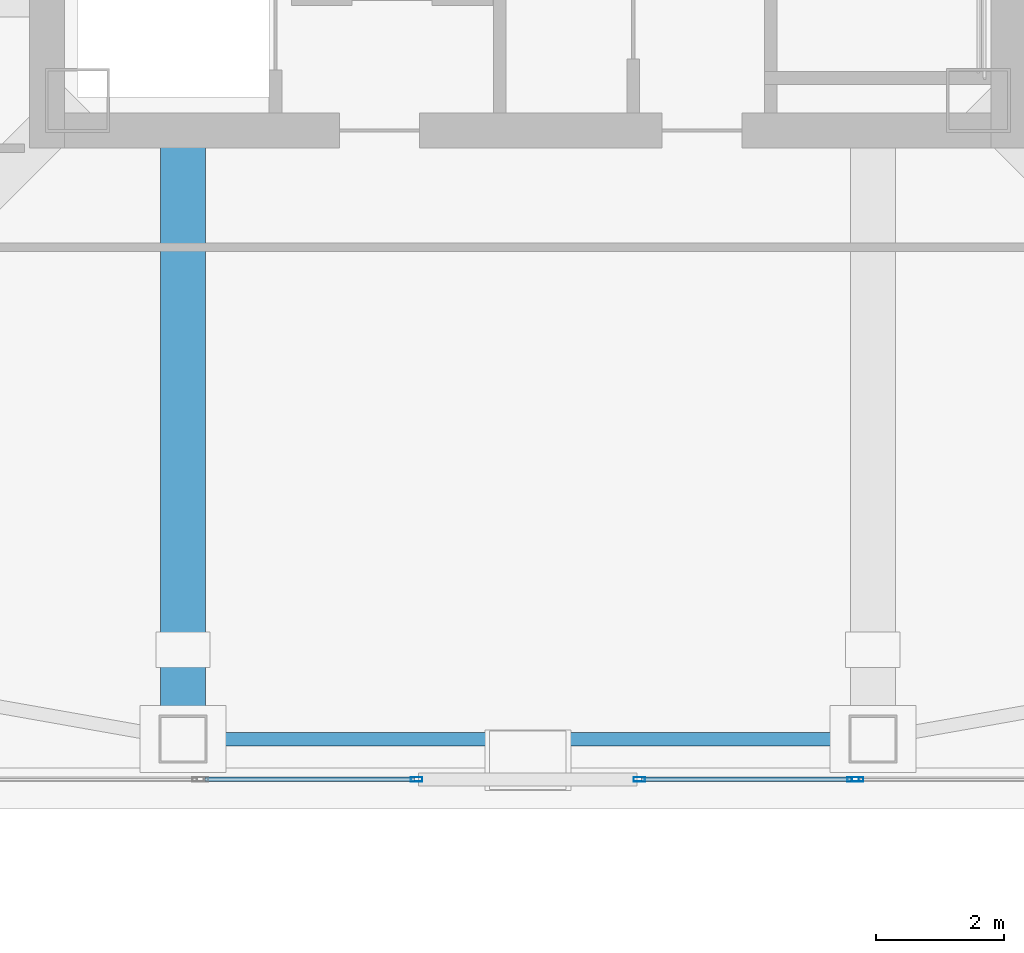
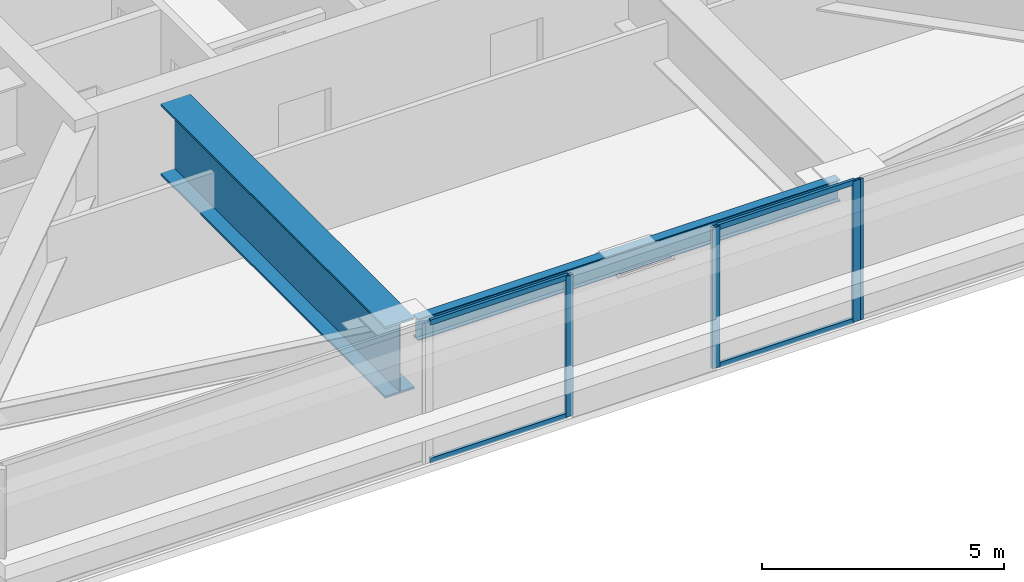
# One storey, part 5 of 42: 8 members, 2 beams, 3 elements without a shape of their own.
"""IFC4 building model written with IfcOpenShell, lengths in metres."""

import ifcopenshell
import ifcopenshell.guid

model = None  # the IFC model being written
_history = None  # IfcOwnerHistory: only IFC2X3 demands one
_inside = {}  # id of a spatial element -> (the spatial element, [elements in it])
_under = {}  # id of a project, library or spatial element -> (it, [spatial elements below it])
_declared = {}  # id of a project -> (the project, [libraries it declares])
_typed = {}  # id of a type object -> (the type object, [elements of that type])
_made_of = {}  # id of a material, layer set ... -> (it, [elements and type objects made of it])


def new_model(schema):
    """Start an empty IFC model of exactly this schema.

    Asked for "IFC4X3", IfcOpenShell would pick the latest addendum, in which some entities
    have other attributes; the version numbers below select the first issue.
    IFC2X3 requires an IfcOwnerHistory on every rooted entity: one is made here for all.
    """
    global model, _history
    if schema == "IFC4X3":
        model = ifcopenshell.file(schema_version=(4, 3, 0, 0))
    else:
        model = ifcopenshell.file(schema=schema)
    _inside.clear()
    _under.clear()
    _declared.clear()
    _typed.clear()
    _made_of.clear()
    _history = None
    if model.schema == "IFC2X3":
        org = make("IfcOrganization", Name="unknown")
        user = make(
            "IfcPersonAndOrganization",
            ThePerson=make("IfcPerson", FamilyName="unknown"),
            TheOrganization=org,
        )
        app = make(
            "IfcApplication",
            ApplicationDeveloper=org,
            Version="unknown",
            ApplicationFullName="unknown",
            ApplicationIdentifier="unknown",
        )
        _history = make(
            "IfcOwnerHistory",
            OwningUser=user,
            OwningApplication=app,
            ChangeAction="ADDED",
            CreationDate=0,
        )
    return model


def make(cls, **values):
    """One entity of the class cls with the attributes given. An attribute that is None is left unset."""
    return model.create_entity(
        cls, **{name: value for name, value in values.items() if value is not None}
    )


def rooted(cls, **values):
    """An entity with a GlobalId (a new one), such as an element, a storey or a relation."""
    return make(cls, GlobalId=ifcopenshell.guid.new(), OwnerHistory=_history, **values)


def si_unit(unit_type, name, prefix=None):
    """IfcSIUnit, for example si_unit("LENGTHUNIT", "METRE", prefix="MILLI")."""
    return make("IfcSIUnit", UnitType=unit_type, Prefix=prefix, Name=name)


def assignment(units):
    """IfcUnitAssignment: the units of a project."""
    return None if units is None else make("IfcUnitAssignment", Units=units)


def point(xyz):
    """IfcCartesianPoint."""
    return None if xyz is None else make("IfcCartesianPoint", Coordinates=xyz)


def direction(xyz):
    """IfcDirection."""
    return None if xyz is None else make("IfcDirection", DirectionRatios=xyz)


def frame(location, z_axis=None, x_axis=None):
    """IfcAxis2Placement3D, a coordinate frame: its origin and axes. An axis left out is left unset."""
    return make(
        "IfcAxis2Placement3D",
        Location=point(location),
        Axis=direction(z_axis),
        RefDirection=direction(x_axis),
    )


def frame_2d(location, x_axis=None):
    """IfcAxis2Placement2D, a coordinate frame in the plane: its origin and x axis."""
    return make(
        "IfcAxis2Placement2D", Location=point(location), RefDirection=direction(x_axis)
    )


def origin():
    """The frame at (0, 0, 0) with its axes left unset."""
    return frame((0.0, 0.0, 0.0))


def origin_2d():
    """The frame at (0, 0) in the plane with its x axis left unset."""
    return frame_2d((0.0, 0.0))


def place(relative_to, where):
    """IfcLocalPlacement: puts the frame where relative to a parent placement (None: the world)."""
    return make(
        "IfcLocalPlacement", PlacementRelTo=relative_to, RelativePlacement=where
    )


def context(
    kind, dimensions, precision=None, world=None, true_north=None, identifier=None
):
    """IfcGeometricRepresentationContext, for example the 3D "Model" context."""
    return make(
        "IfcGeometricRepresentationContext",
        ContextIdentifier=identifier,
        ContextType=kind,
        CoordinateSpaceDimension=dimensions,
        Precision=precision,
        WorldCoordinateSystem=world,
        TrueNorth=true_north,
    )


def subcontext(parent, identifier, kind, view, scale=None):
    """IfcGeometricRepresentationSubContext, for example "Body" below "Model"."""
    return make(
        "IfcGeometricRepresentationSubContext",
        ContextIdentifier=identifier,
        ContextType=kind,
        ParentContext=parent,
        TargetScale=scale,
        TargetView=view,
    )


def project(units=None, contexts=None):
    """IfcProject with its units and contexts."""
    return rooted(
        "IfcProject",
        Name="project",
        RepresentationContexts=contexts,
        UnitsInContext=assignment(units),
    )


def spatial(cls, under=None, at=None, **own):
    """A site, building, storey or space (cls), placed at a placement, below another one or the project."""
    s = rooted(cls, ObjectPlacement=at, **own)
    if under is not None:
        _under.setdefault(under.id(), (under, []))[1].append(s)
    return s


def profile(cls, at=None, kind="AREA", **sizes):
    """A parametric profile (cls). Its sizes go by their IFC names, for example OverallWidth=200.0."""
    return make(cls, ProfileType=kind, Position=at, **sizes)


def hollow_rectangle(**sizes):
    """IfcRectangleHollowProfileDef."""
    return profile("IfcRectangleHollowProfileDef", **sizes)


def i_section(**sizes):
    """IfcIShapeProfileDef."""
    return profile("IfcIShapeProfileDef", **sizes)


def extrude(swept, where, along, depth):
    """IfcExtrudedAreaSolid: the profile swept, set in the frame where, extruded along a direction by depth."""
    return make(
        "IfcExtrudedAreaSolid",
        SweptArea=swept,
        Position=where,
        ExtrudedDirection=direction(along),
        Depth=depth,
    )


def shape(context_of_items, identifier, shape_type, items):
    """IfcShapeRepresentation: the items that make up one representation, for example the "Body"."""
    return make(
        "IfcShapeRepresentation",
        ContextOfItems=context_of_items,
        RepresentationIdentifier=identifier,
        RepresentationType=shape_type,
        Items=items,
    )


def material(Name=None, Category=None):
    """IfcMaterial."""
    return make("IfcMaterial", Name=Name, Category=Category)


def material_profile(
    of_material, cross_section, Name=None, Category=None, Priority=None
):
    """IfcMaterialProfile: a cross section and its material."""
    return make(
        "IfcMaterialProfile",
        Name=Name,
        Material=of_material,
        Profile=cross_section,
        Priority=Priority,
        Category=Category,
    )


def profile_set(profiles, Name=None, composite=None):
    """IfcMaterialProfileSet."""
    return make(
        "IfcMaterialProfileSet",
        Name=Name,
        MaterialProfiles=profiles,
        CompositeProfile=composite,
    )


def made_of(thing, what):
    """Note that an element or type object is made of a material, layer set ...; save() writes the relation."""
    if what is not None:
        _made_of.setdefault(what.id(), (what, []))[1].append(thing)
    return thing


def type_object(cls, material=None, **own):
    """A type object (cls), such as IfcWallType, which elements share."""
    return made_of(rooted(cls, **own), material)


def element(
    cls,
    number,
    at=None,
    inside=None,
    cuts=None,
    type_object=None,
    material=None,
    context=None,
    identifier="Body",
    shape_type=None,
    held_by="IfcProductDefinitionShape",
    body=None,
    shapes=None,
    **own,
):
    """One element of the class cls, such as IfcWall. Its Tag is "e" and its number.

    at: its placement. inside: the storey or other place that contains it. cuts: it is an
    opening in that element (IfcRelVoidsElement). A single representation is given by context,
    identifier, shape_type and body (its items); several are given by shapes. held_by: the class
    of the entity that holds the representations. save() writes the other relations.
    """
    e = rooted(cls, Tag="e%d" % number, ObjectPlacement=at, **own)
    if body is not None:
        shapes = [shape(context, identifier, shape_type, body)]
    if shapes is not None:
        e.Representation = make(held_by, Representations=shapes)
    if inside is not None:
        _inside.setdefault(inside.id(), (inside, []))[1].append(e)
    if cuts is not None:
        rooted(
            "IfcRelVoidsElement", RelatingBuildingElement=cuts, RelatedOpeningElement=e
        )
    if type_object is not None:
        _typed.setdefault(type_object.id(), (type_object, []))[1].append(e)
    return made_of(e, material)


def aggregate(whole, parts):
    """IfcRelAggregates: a whole, such as a stair, and the parts it consists of."""
    return rooted("IfcRelAggregates", RelatingObject=whole, RelatedObjects=parts)


def save(model, path):
    """Write the relations noted so far, then the file.

    IfcRelAggregates (storeys below a building ...), IfcRelContainedInSpatialStructure (elements
    in a storey), IfcRelDefinesByType, IfcRelAssociatesMaterial and IfcRelDeclares: one each for
    every whole, place, type object, material and project.
    """
    for whole, parts in _under.values():
        aggregate(whole, parts)
    for where, things in _inside.values():
        rooted(
            "IfcRelContainedInSpatialStructure",
            RelatedElements=things,
            RelatingStructure=where,
        )
    for kind, things in _typed.values():
        rooted("IfcRelDefinesByType", RelatedObjects=things, RelatingType=kind)
    for what, things in _made_of.values():
        rooted("IfcRelAssociatesMaterial", RelatedObjects=things, RelatingMaterial=what)
    for by, libraries in _declared.values():
        rooted("IfcRelDeclares", RelatingContext=by, RelatedDefinitions=libraries)
    model.write(path)


model = new_model("IFC4")

# Units and contexts
model_context = context("Model", 3, precision=1e-05, world=origin(), true_north=direction((0.0, 1.0)))
body_context = subcontext(model_context, "Body", "Model", "MODEL_VIEW")
ifc_project = project(units=[si_unit("LENGTHUNIT", "METRE"), si_unit("AREAUNIT", "SQUARE_METRE"), si_unit("VOLUMEUNIT", "CUBIC_METRE"), si_unit("PLANEANGLEUNIT", "RADIAN"), si_unit("MASSUNIT", "GRAM", prefix="KILO")], contexts=[model_context])

# Site, building, storey
site_placement = place(None, origin())
site = spatial("IfcSite", under=ifc_project, at=site_placement, CompositionType="ELEMENT")
building_placement = place(site_placement, origin())
building = spatial("IfcBuilding", under=site, at=building_placement, Name="Tashvorn Skyway Center", CompositionType="ELEMENT")
storey_placement = place(building_placement, frame((0.0, 0.0, 196.050048828125)))
storey = spatial("IfcBuildingStorey", under=building, at=storey_placement, Name="L53", CompositionType="ELEMENT", Elevation=196.050048828125)

# Beams
ifc_material_1 = material(Name="Steel ASTM A572 Grade 50", Category="steel")
ifc_material_profile_1 = material_profile(ifc_material_1, i_section(OverallWidth=0.699951171875, OverallDepth=1.800048828125, WebThickness=0.031982421875, FlangeThickness=0.050048828125, at=origin_2d()), Name="PG1800x700")
ifc_profile_set_1 = profile_set([ifc_material_profile_1], Name="Steel ASTM A572 Grade 50")
beam_type_1 = type_object("IfcBeamType", Name="BM-BEAM-PG1800x700", PredefinedType="BEAM", material=ifc_profile_set_1)
beam_1_placement = place(storey_placement, frame((36.60009765625, 14.949951171875, 2.349853515625), z_axis=(0.0, 1.0, 0.0), x_axis=(-1.0, 0.0, 0.0)))
element("IfcBeam", 1, at=beam_1_placement, inside=storey, type_object=beam_type_1, Name="Tower 1 L53 Setback Transfer Girder FC-S1", PredefinedType="BEAM", context=body_context, shape_type="SweptSolid", body=[
    extrude(i_section(OverallWidth=0.699951171875, OverallDepth=1.800048828125, WebThickness=0.031982421875, FlangeThickness=0.050048828125, at=origin_2d()), origin(), (0.0, 0.0, 1.0), 9.27001953125),
])
ifc_material_2 = material(Name="Steel ASTM A992 Grade 50", Category="steel")
ifc_material_profile_2 = material_profile(ifc_material_2, i_section(OverallWidth=0.2109375, OverallDepth=0.5390625, WebThickness=0.01171875, FlangeThickness=0.018798828125, at=origin_2d()), Name="W21X73")
ifc_profile_set_2 = profile_set([ifc_material_profile_2], Name="Steel ASTM A992 Grade 50")
beam_type_2 = type_object("IfcBeamType", Name="BM-SPANDREL-W21X73", PredefinedType="SPANDREL", material=ifc_profile_set_2)
beam_2_placement = place(storey_placement, frame((36.969970703125, 14.949951171875, 2.98046875), z_axis=(1.0, 0.0, 0.0), x_axis=(0.0, 1.0, 0.0)))
element("IfcBeam", 2, at=beam_2_placement, inside=storey, type_object=beam_type_2, Name="Tower 1 L53 Spandrel Beam 02", PredefinedType="SPANDREL", context=body_context, shape_type="SweptSolid", body=[
    extrude(i_section(OverallWidth=0.2109375, OverallDepth=0.5390625, WebThickness=0.01171875, FlangeThickness=0.018798828125, at=origin_2d()), origin(), (0.0, 0.0, 1.0), 10.06005859375),
])

# Curtain wall, member
ifc_material_3 = material(Name="Thermally broken bronze-anodized aluminium 6063-T6", Category="aluminium")
curtain_wall_type = type_object("IfcCurtainWallType", Name="CW-CW-Z4", PredefinedType="NOTDEFINED", material=ifc_material_3)
curtain_wall_1_placement = place(storey_placement, origin())
curtain_wall_1 = element("IfcCurtainWall", 3, at=curtain_wall_1_placement, inside=storey, type_object=curtain_wall_type, Name="Tower 1 L53 South Unitised Curtain Wall Glazing Group 1", PredefinedType="NOTDEFINED")
ifc_material_profile_3 = material_profile(ifc_material_3, hollow_rectangle(XDim=0.070068359375, YDim=0.179931640625, WallThickness=0.00390625, at=origin_2d()), Name="ALU-MULL-70x180")
ifc_profile_set_3 = profile_set([ifc_material_profile_3], Name="Thermally broken bronze-anodized aluminium 6063-T6")
member_type_1 = type_object("IfcMemberType", Name="CWM-CW-Z4", PredefinedType="MULLION", material=ifc_profile_set_3)
member_1_placement = place(storey_placement, frame((47.16162109375, 14.320068359375, 0.0), z_axis=(0.0, 0.0, 1.0), x_axis=(0.0, -1.0, 0.0)))
member_1 = element("IfcMember", 4, at=member_1_placement, type_object=member_type_1, Name="CW-Z4 mullion 2", PredefinedType="MULLION", context=body_context, shape_type="SweptSolid", body=[
    extrude(hollow_rectangle(XDim=0.070068359375, YDim=0.179931640625, WallThickness=0.00390625, at=origin_2d()), origin(), (0.0, 0.0, 1.0), 3.550048828125),
])
aggregate(curtain_wall_1, [member_1])

# Curtain wall, members
curtain_wall_2_placement = place(storey_placement, origin())
curtain_wall_2 = element("IfcCurtainWall", 5, at=curtain_wall_2_placement, inside=storey, type_object=curtain_wall_type, Name="Tower 1 L53 South Unitised Curtain Wall Glazing Group 2", PredefinedType="NOTDEFINED")
member_2_placement = place(storey_placement, frame((47.091796875, 14.320068359375, 0.0), z_axis=(0.0, 0.0, 1.0), x_axis=(0.0, -1.0, 0.0)))
member_2 = element("IfcMember", 6, at=member_2_placement, type_object=member_type_1, Name="CW-Z4 mullion 1", PredefinedType="MULLION", context=body_context, shape_type="SweptSolid", body=[
    extrude(hollow_rectangle(XDim=0.070068359375, YDim=0.179931640625, WallThickness=0.00390625, at=origin_2d()), origin(), (0.0, 0.0, 1.0), 3.550048828125),
])
member_3_placement = place(storey_placement, frame((43.743896484375, 14.320068359375, 0.0), z_axis=(0.0, 0.0, 1.0), x_axis=(0.0, -1.0, 0.0)))
member_3 = element("IfcMember", 7, at=member_3_placement, type_object=member_type_1, Name="CW-Z4 mullion 2", PredefinedType="MULLION", context=body_context, shape_type="SweptSolid", body=[
    extrude(hollow_rectangle(XDim=0.070068359375, YDim=0.179931640625, WallThickness=0.00390625, at=origin_2d()), origin(), (0.0, 0.0, 1.0), 3.550048828125),
])

# Curtain wall, member
curtain_wall_3_placement = place(storey_placement, origin())
curtain_wall_3 = element("IfcCurtainWall", 8, at=curtain_wall_3_placement, inside=storey, type_object=curtain_wall_type, Name="Tower 1 L53 South Unitised Curtain Wall Glazing Group 3", PredefinedType="NOTDEFINED")
member_4_placement = place(storey_placement, frame((40.256103515625, 14.320068359375, 0.0), z_axis=(0.0, 0.0, 1.0), x_axis=(0.0, -1.0, 0.0)))
member_4 = element("IfcMember", 9, at=member_4_placement, type_object=member_type_1, Name="CW-Z4 mullion 1", PredefinedType="MULLION", context=body_context, shape_type="SweptSolid", body=[
    extrude(hollow_rectangle(XDim=0.070068359375, YDim=0.179931640625, WallThickness=0.00390625, at=origin_2d()), origin(), (0.0, 0.0, 1.0), 3.550048828125),
])

# Member
ifc_material_profile_4 = material_profile(ifc_material_3, hollow_rectangle(XDim=0.070068359375, YDim=0.1298828125, WallThickness=0.00390625, at=origin_2d()), Name="ALU-TRAN-70x130")
ifc_profile_set_4 = profile_set([ifc_material_profile_4], Name="Thermally broken bronze-anodized aluminium 6063-T6")
member_type_2 = type_object("IfcMemberType", Name="CWT-CW-Z4", PredefinedType="USERDEFINED", material=ifc_profile_set_4)
member_5_placement = place(storey_placement, frame((47.056640625, 14.320068359375, 0.034912109375), z_axis=(-1.0, 0.0, 0.0), x_axis=(0.0, -1.0, 0.0)))
member_5 = element("IfcMember", 10, at=member_5_placement, type_object=member_type_2, Name="CW-Z4 transom 1.1", ObjectType="TRANSOM", PredefinedType="USERDEFINED", context=body_context, shape_type="SweptSolid", body=[
    extrude(hollow_rectangle(XDim=0.070068359375, YDim=0.1298828125, WallThickness=0.00390625, at=origin_2d()), origin(), (0.0, 0.0, 1.0), 3.27783203125),
])

member_6_placement = place(storey_placement, frame((47.056640625, 14.320068359375, 3.514892578125), z_axis=(-1.0, 0.0, 0.0), x_axis=(0.0, -1.0, 0.0)))
member_6 = element("IfcMember", 11, at=member_6_placement, type_object=member_type_2, Name="CW-Z4 transom 1.2", ObjectType="TRANSOM", PredefinedType="USERDEFINED", context=body_context, shape_type="SweptSolid", body=[
    extrude(hollow_rectangle(XDim=0.070068359375, YDim=0.1298828125, WallThickness=0.00390625, at=origin_2d()), origin(), (0.0, 0.0, 1.0), 3.27783203125),
])

aggregate(curtain_wall_2, [member_2, member_3, member_5, member_6])

member_7_placement = place(storey_placement, frame((40.22119140625, 14.320068359375, 0.034912109375), z_axis=(-1.0, 0.0, 0.0), x_axis=(0.0, -1.0, 0.0)))
member_7 = element("IfcMember", 12, at=member_7_placement, type_object=member_type_2, Name="CW-Z4 transom 1.1", ObjectType="TRANSOM", PredefinedType="USERDEFINED", context=body_context, shape_type="SweptSolid", body=[
    extrude(hollow_rectangle(XDim=0.070068359375, YDim=0.1298828125, WallThickness=0.00390625, at=origin_2d()), origin(), (0.0, 0.0, 1.0), 3.27783203125),
])

member_8_placement = place(storey_placement, frame((40.22119140625, 14.320068359375, 3.514892578125), z_axis=(-1.0, 0.0, 0.0), x_axis=(0.0, -1.0, 0.0)))
member_8 = element("IfcMember", 13, at=member_8_placement, type_object=member_type_2, Name="CW-Z4 transom 1.2", ObjectType="TRANSOM", PredefinedType="USERDEFINED", context=body_context, shape_type="SweptSolid", body=[
    extrude(hollow_rectangle(XDim=0.070068359375, YDim=0.1298828125, WallThickness=0.00390625, at=origin_2d()), origin(), (0.0, 0.0, 1.0), 3.27783203125),
])

aggregate(curtain_wall_3, [member_4, member_7, member_8])

save(model, "model.ifc")
